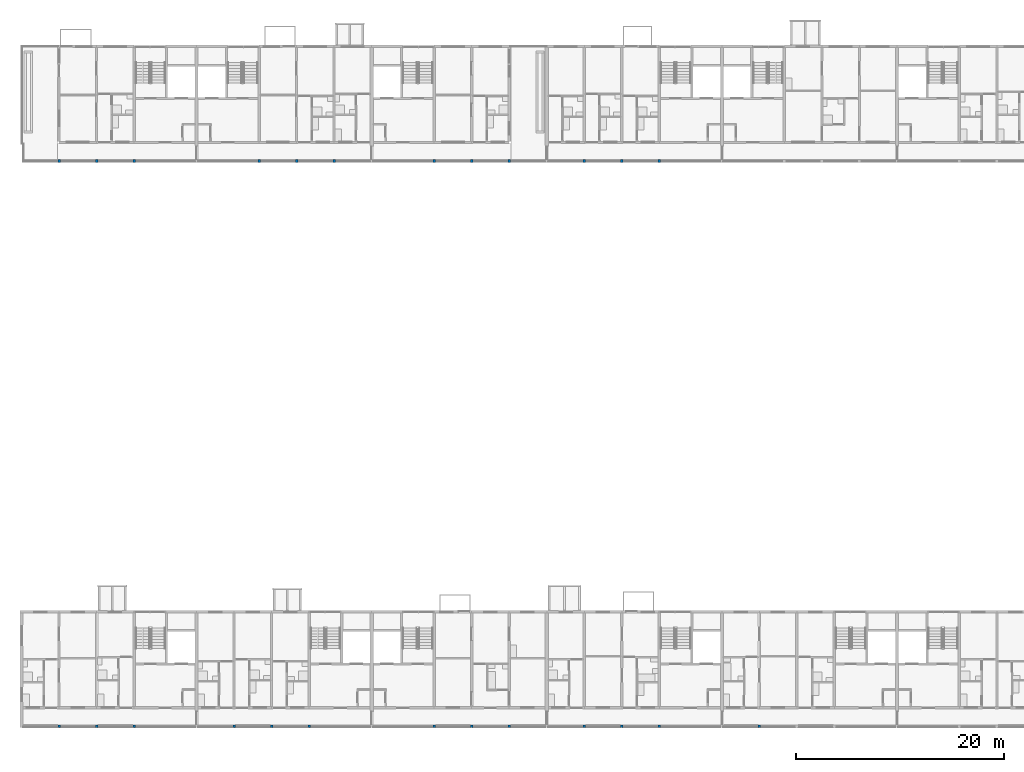
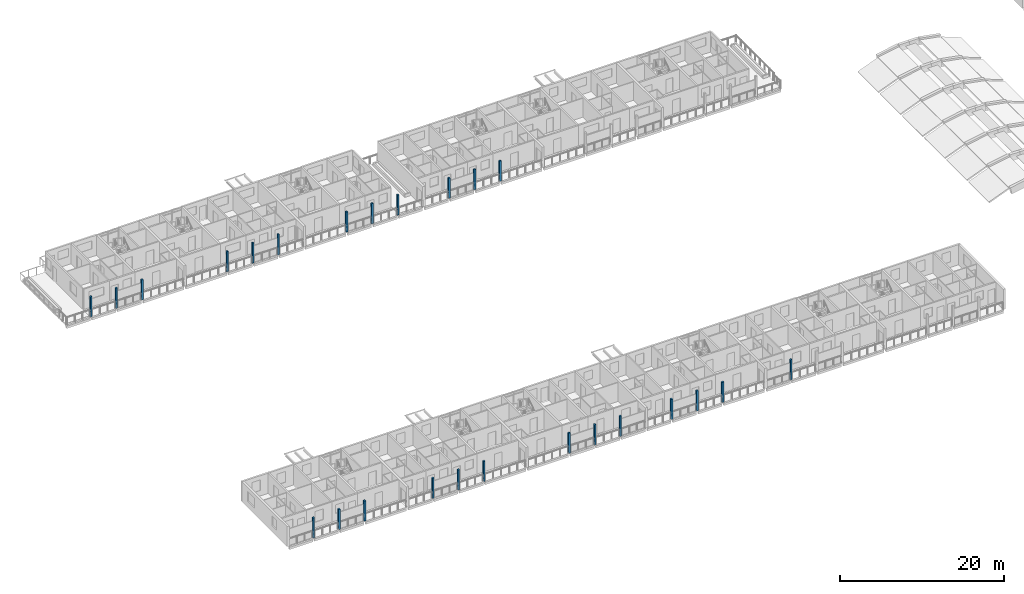
# One storey, part 1 of 93: 25 columns.
"""IFC4 building model written with IfcOpenShell, lengths in metres."""

from ifc_helpers import new_model, si_unit, direction, frame, origin, origin_2d, place, context, subcontext, project, spatial, rectangle, extrude, material, material_profile, profile_set, type_object, element, save


model = new_model("IFC4")

# Units and contexts
model_context = context("Model", 3, precision=1e-05, world=origin(), true_north=direction((0.0, 1.0)))
body_context = subcontext(model_context, "Body", "Model", "MODEL_VIEW")
ifc_project = project(units=[si_unit("LENGTHUNIT", "METRE"), si_unit("AREAUNIT", "SQUARE_METRE"), si_unit("VOLUMEUNIT", "CUBIC_METRE"), si_unit("PLANEANGLEUNIT", "RADIAN"), si_unit("MASSUNIT", "GRAM", prefix="KILO")], contexts=[model_context])

# Site, building, storey
site_placement = place(None, origin())
site = spatial("IfcSite", under=ifc_project, at=site_placement, CompositionType="ELEMENT")
building_placement = place(site_placement, origin())
building = spatial("IfcBuilding", under=site, at=building_placement, Name="Ridgestep Commons", CompositionType="ELEMENT")
storey_placement = place(building_placement, frame((0.0, 0.0, 18.0)))
storey = spatial("IfcBuildingStorey", under=building, at=storey_placement, Name="L06", CompositionType="ELEMENT", Elevation=18.0)

# Columns
ifc_material = material(Name="Precast concrete C40/50", Category="concrete")
ifc_material_profile = material_profile(ifc_material, rectangle(XDim=0.25, YDim=0.25, at=origin_2d()), Name="PC 250x250")
ifc_profile_set = profile_set([ifc_material_profile], Name="Precast concrete C40/50")
column_type = type_object("IfcColumnType", Name="Loggia column 250 x 250", PredefinedType="COLUMN", material=ifc_profile_set)
for number, where, z_axis, x_axis, name in (
    (1, (15.60009765625, 11.875, 0.0), (0.0, 0.0, 1.0), (1.0, 0.0, 0.0), "Loggia column A L06"),
    (2, (19.199951171875, 11.875, 0.0), (0.0, 0.0, 1.0), (1.0, 0.0, 0.0), "Loggia column A L06"),
    (3, (22.800048828125, 11.875, 0.0), (0.0, 0.0, 1.0), (1.0, 0.0, 0.0), "Loggia column A L06"),
    (4, (32.39990234375, 11.875, 0.0), (0.0, 0.0, 1.0), (1.0, 0.0, 0.0), "Loggia column A L06"),
    (5, (36.0, 11.875, 0.0), (0.0, 0.0, 1.0), (1.0, 0.0, 0.0), "Loggia column A L06"),
    (6, (39.60009765625, 11.875, 0.0), (0.0, 0.0, 1.0), (1.0, 0.0, 0.0), "Loggia column A L06"),
    (7, (51.60009765625, 11.875, 0.0), (0.0, 0.0, 1.0), (1.0, 0.0, 0.0), "Loggia column A L06"),
    (8, (55.199951171875, 11.875, 0.0), (0.0, 0.0, 1.0), (1.0, 0.0, 0.0), "Loggia column A L06"),
    (9, (58.800048828125, 11.875, 0.0), (0.0, 0.0, 1.0), (1.0, 0.0, 0.0), "Loggia column A L06"),
    (10, (66.0, 11.875, 0.0), (0.0, 0.0, 1.0), (1.0, 0.0, 0.0), "Loggia column A L06"),
    (11, (69.60009765625, 11.875, 0.0), (0.0, 0.0, 1.0), (1.0, 0.0, 0.0), "Loggia column A L06"),
    (12, (73.199951171875, 11.875, 0.0), (0.0, 0.0, 1.0), (1.0, 0.0, 0.0), "Loggia column A L06"),
    (13, (82.800048828125, 11.875, 0.0), (0.0, 0.0, 1.0), (1.0, 0.0, 0.0), "Loggia column A L06"),
    (14, (15.60009765625, 66.125, 0.0), (0.0, 0.0, 1.0), (1.0, 0.0, 0.0), "Loggia column B L06"),
    (15, (19.199951171875, 66.125, 0.0), (0.0, 0.0, 1.0), (1.0, 0.0, 0.0), "Loggia column B L06"),
    (16, (22.800048828125, 66.125, 0.0), (0.0, 0.0, 1.0), (1.0, 0.0, 0.0), "Loggia column B L06"),
    (17, (34.800048828125, 66.125, 0.0), (0.0, 0.0, 1.0), (1.0, 0.0, 0.0), "Loggia column B L06"),
    (18, (38.39990234375, 66.125, 0.0), (0.0, 0.0, 1.0), (1.0, 0.0, 0.0), "Loggia column B L06"),
    (19, (42.0, 66.125, 0.0), (0.0, 0.0, 1.0), (1.0, 0.0, 0.0), "Loggia column B L06"),
    (20, (51.60009765625, 66.125, 0.0), (0.0, 0.0, 1.0), (1.0, 0.0, 0.0), "Loggia column B L06"),
    (21, (55.199951171875, 66.125, 0.0), (0.0, 0.0, 1.0), (1.0, 0.0, 0.0), "Loggia column B L06"),
    (22, (58.800048828125, 66.125, 0.0), (0.0, 0.0, 1.0), (1.0, 0.0, 0.0), "Loggia column B L06"),
    (23, (66.0, 66.125, 0.0), (0.0, 0.0, 1.0), (1.0, 0.0, 0.0), "Loggia column B L06"),
    (24, (69.60009765625, 66.125, 0.0), (0.0, 0.0, 1.0), (1.0, 0.0, 0.0), "Loggia column B L06"),
    (25, (73.199951171875, 66.125, 0.0), (0.0, 0.0, 1.0), (1.0, 0.0, 0.0), "Loggia column B L06"),
):
    element("IfcColumn", number, at=place(storey_placement, frame(where, z_axis=z_axis, x_axis=x_axis)), inside=storey, type_object=column_type, Name=name, PredefinedType="COLUMN", context=body_context, shape_type="SweptSolid", body=[
        extrude(rectangle(XDim=0.25, YDim=0.25, at=origin_2d()), origin(), (0.0, 0.0, 1.0), 3.0),
    ])

save(model, "model.ifc")
